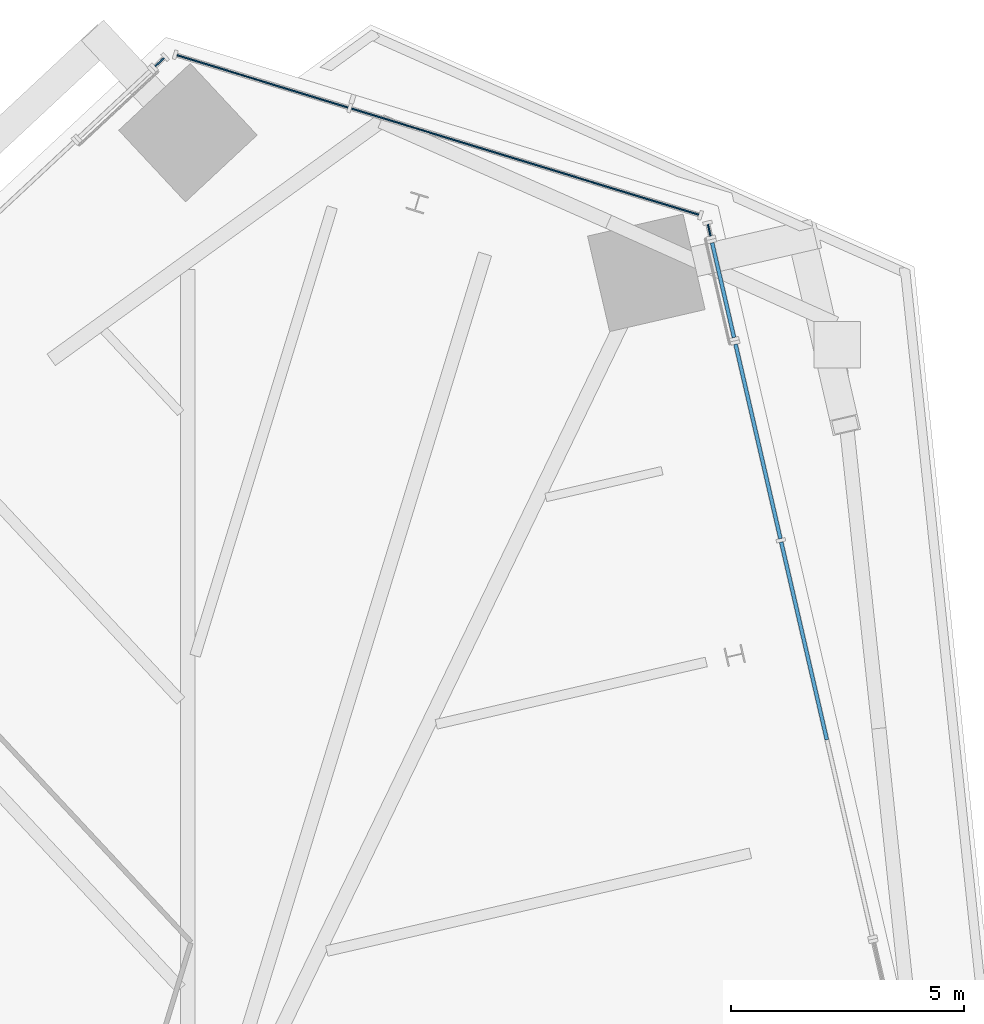
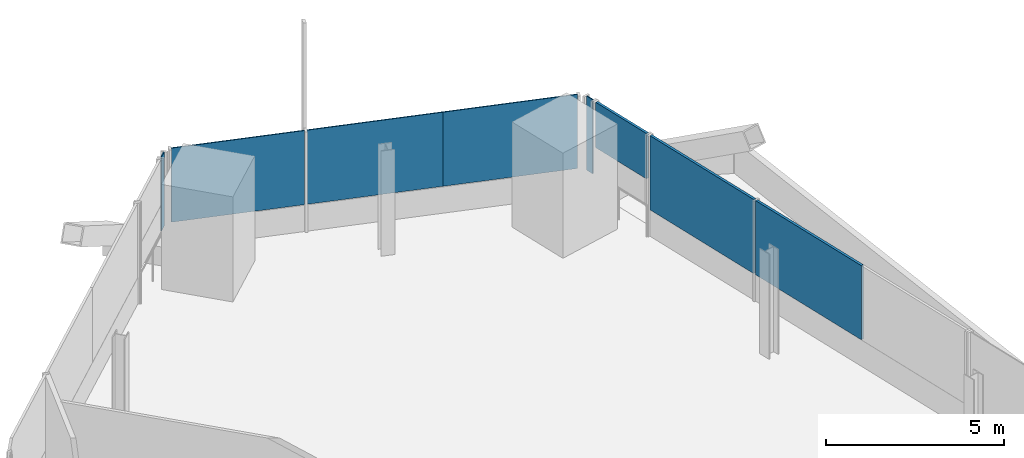
# One storey, part 17 of 25: 8 plates, 5 elements without a shape of their own.
"""IFC4 building model written with IfcOpenShell, lengths in metres."""

from ifc_helpers import new_model, si_unit, direction, frame, origin, origin_2d, place, context, subcontext, project, spatial, rectangle, extrude, source, transform, mapped, material, layer, layer_set, type_object, element, aggregate, save


model = new_model("IFC4")

# Units and contexts
model_context = context("Model", 3, precision=1e-05, world=origin(), true_north=direction((0.0, 1.0)))
body_context = subcontext(model_context, "Body", "Model", "MODEL_VIEW")
ifc_project = project(units=[si_unit("LENGTHUNIT", "METRE"), si_unit("AREAUNIT", "SQUARE_METRE"), si_unit("VOLUMEUNIT", "CUBIC_METRE"), si_unit("PLANEANGLEUNIT", "RADIAN"), si_unit("MASSUNIT", "GRAM", prefix="KILO")], contexts=[model_context])

# Site, building, storey
site_placement = place(None, origin())
site = spatial("IfcSite", under=ifc_project, at=site_placement, CompositionType="ELEMENT")
building_placement = place(site_placement, origin())
building = spatial("IfcBuilding", under=site, at=building_placement, Name="Triune Harvest Tower", CompositionType="ELEMENT")
storey_placement = place(building_placement, frame((0.0, 0.0, 98.300048828125)))
storey = spatial("IfcBuildingStorey", under=building, at=storey_placement, Name="L24", CompositionType="ELEMENT", Elevation=98.300048828125)

# Curtain wall, plates
ifc_material_1 = material(Name="Aluminium bronze anodised", Category="aluminium")
curtain_wall_type_1 = type_object("IfcCurtainWallType", Name="CW-7 Tower stick curtain wall with insulated spandrel infill", PredefinedType="NOTDEFINED", material=ifc_material_1)
curtain_wall_1_placement = place(storey_placement, origin())
curtain_wall_1 = element("IfcCurtainWall", 1, at=curtain_wall_1_placement, inside=storey, type_object=curtain_wall_type_1, Name="CW-7 B3-F1 L24 run 2101")
ifc_material_2 = material(Name="Insulated spandrel panel, bronze aluminium pan", Category="aluminium")
ifc_layer_1 = layer(ifc_material_2, 0.080078125)
ifc_layer_set_1 = layer_set([ifc_layer_1], Name="Insulated spandrel panel, bronze aluminium pan")
plate_type_1 = type_object("IfcPlateType", Name="SP-1 insulated spandrel panel 80", PredefinedType="CURTAIN_PANEL", material=ifc_layer_set_1)
shared_shape_1 = source(origin(), body_context, "Body", "SweptSolid", [
    extrude(rectangle(XDim=4.349365234375, YDim=0.080078125, at=origin_2d()), origin(), (0.0, 0.0, 1.0), 2.5400390625),
])
plate_1_placement = place(storey_placement, frame((17.68115234375, 21.321044921875, 0.89990234375), z_axis=(0.0, 0.0, 1.0), x_axis=(-0.224949408455, 0.974370444767, 0.0)))
plate_1 = element("IfcPlate", 2, at=plate_1_placement, type_object=plate_type_1, Name="CW-7 panel B3-F1 2101.2", PredefinedType="CURTAIN_PANEL", context=body_context, shape_type="MappedRepresentation", body=[
    mapped(shared_shape_1, transform((0.0, 0.0, 0.0), scale=1.0)),
])
shared_shape_2 = source(origin(), body_context, "Body", "SweptSolid", [
    extrude(rectangle(XDim=4.274169921875, YDim=0.080078125, at=origin_2d()), origin(), (0.0, 0.0, 1.0), 2.5400390625),
])
plate_2_placement = place(storey_placement, frame((16.6943359375, 25.595458984375, 0.89990234375), z_axis=(0.0, 0.0, 1.0), x_axis=(-0.224949408455, 0.974370444767, 0.0)))
plate_2 = element("IfcPlate", 3, at=plate_2_placement, type_object=plate_type_1, Name="CW-7 panel B3-F1 2101.3", PredefinedType="CURTAIN_PANEL", context=body_context, shape_type="MappedRepresentation", body=[
    mapped(shared_shape_2, transform((0.0, 0.0, 0.0), scale=1.0)),
])
aggregate(curtain_wall_1, [plate_1, plate_2])

# Curtain wall, plate
curtain_wall_2_placement = place(storey_placement, origin())
curtain_wall_2 = element("IfcCurtainWall", 4, at=curtain_wall_2_placement, inside=storey, type_object=curtain_wall_type_1, Name="CW-7 B3-F1 L24 run 201")
shared_shape_3 = source(origin(), body_context, "Body", "SweptSolid", [
    extrude(rectangle(XDim=2.082275390625, YDim=0.080078125, at=origin_2d()), origin(), (0.0, 0.0, 1.0), 1.554931640625),
])
plate_3_placement = place(storey_placement, frame((15.94580078125, 28.83837890625, 1.884765625), z_axis=(0.0, 0.0, 1.0), x_axis=(-0.224967469644, 0.974366274869, 0.0)))
plate_3 = element("IfcPlate", 5, at=plate_3_placement, type_object=plate_type_1, Name="CW-7 panel B3-F1 201.1", PredefinedType="CURTAIN_PANEL", context=body_context, shape_type="MappedRepresentation", body=[
    mapped(shared_shape_3, transform((0.0, 0.0, 0.0), scale=1.0)),
])
aggregate(curtain_wall_2, [plate_3])

ifc_material_3 = material(Name="Aluminium bronze anodised", Category="aluminium")
curtain_wall_type_2 = type_object("IfcCurtainWallType", Name="CW-1 Tower stick curtain wall", PredefinedType="NOTDEFINED", material=ifc_material_3)
curtain_wall_3_placement = place(storey_placement, origin())
curtain_wall_3 = element("IfcCurtainWall", 6, at=curtain_wall_3_placement, inside=storey, type_object=curtain_wall_type_2, Name="CW-1 B3-F1 L24 run 301")
ifc_material_4 = material(Name="Glass", Category="glass")
ifc_layer_2 = layer(ifc_material_4, 0.031982421875)
ifc_layer_set_2 = layer_set([ifc_layer_2], Name="Glass")
plate_type_2 = type_object("IfcPlateType", Name="GL-1 panel 32", PredefinedType="CURTAIN_PANEL", material=ifc_layer_set_2)
shared_shape_4 = source(origin(), body_context, "Body", "SweptSolid", [
    extrude(rectangle(XDim=0.251708984375, YDim=0.031982421875, at=origin_2d()), origin(), (0.0, 0.0, 1.0), 2.5400390625),
])
plate_4_placement = place(storey_placement, frame((15.6494140625, 30.12158203125, 0.89990234375), z_axis=(0.0, 0.0, 1.0), x_axis=(-0.225041312542, 0.974349222635, 0.0)))
plate_4 = element("IfcPlate", 7, at=plate_4_placement, type_object=plate_type_2, Name="CW-1 panel B3-F1 301.1", PredefinedType="CURTAIN_PANEL", context=body_context, shape_type="MappedRepresentation", body=[
    mapped(shared_shape_4, transform((0.0, 0.0, 0.0), scale=1.0)),
])
aggregate(curtain_wall_3, [plate_4])

curtain_wall_4_placement = place(storey_placement, origin())
curtain_wall_4 = element("IfcCurtainWall", 8, at=curtain_wall_4_placement, inside=storey, type_object=curtain_wall_type_2, Name="CW-1 B3-F3 L24 run 1")
plate_5_placement = place(storey_placement, frame((3.869873046875, 33.722900390625, 0.89990234375), z_axis=(0.0, 0.0, 1.0), x_axis=(-0.731435852304, -0.6819102536, 0.0)))
plate_5 = element("IfcPlate", 9, at=plate_5_placement, type_object=plate_type_2, Name="CW-1 panel B3-F3 1.1", PredefinedType="CURTAIN_PANEL", context=body_context, shape_type="MappedRepresentation", body=[
    mapped(shared_shape_4, transform((0.0, 0.0, 0.0), scale=1.0)),
])
aggregate(curtain_wall_4, [plate_5])

# Curtain wall, plates
curtain_wall_5_placement = place(storey_placement, origin())
curtain_wall_5 = element("IfcCurtainWall", 10, at=curtain_wall_5_placement, inside=storey, type_object=curtain_wall_type_2, Name="CW-1 B3-F2 L24 run 1")
shared_shape_5 = source(origin(), body_context, "Body", "SweptSolid", [
    extrude(rectangle(XDim=3.8740234375, YDim=0.031982421875, at=origin_2d()), origin(), (0.0, 0.0, 1.0), 2.5400390625),
])
plate_6_placement = place(storey_placement, frame((13.573974609375, 31.01953125, 0.89990234375), z_axis=(0.0, 0.0, 1.0), x_axis=(-0.956303148607, 0.292376962095, 0.0)))
plate_6 = element("IfcPlate", 11, at=plate_6_placement, type_object=plate_type_2, Name="CW-1 panel B3-F2 1.1", PredefinedType="CURTAIN_PANEL", context=body_context, shape_type="MappedRepresentation", body=[
    mapped(shared_shape_5, transform((0.0, 0.0, 0.0), scale=1.0)),
])
shared_shape_6 = source(origin(), body_context, "Body", "SweptSolid", [
    extrude(rectangle(XDim=3.911376953125, YDim=0.031982421875, at=origin_2d()), origin(), (0.0, 0.0, 1.0), 2.5400390625),
])
plate_7_placement = place(storey_placement, frame((9.851318359375, 32.15771484375, 0.89990234375), z_axis=(0.0, 0.0, 1.0), x_axis=(-0.956303148607, 0.292376962095, 0.0)))
plate_7 = element("IfcPlate", 12, at=plate_7_placement, type_object=plate_type_2, Name="CW-1 panel B3-F2 1.2", PredefinedType="CURTAIN_PANEL", context=body_context, shape_type="MappedRepresentation", body=[
    mapped(shared_shape_6, transform((0.0, 0.0, 0.0), scale=1.0)),
])
shared_shape_7 = source(origin(), body_context, "Body", "SweptSolid", [
    extrude(rectangle(XDim=3.83642578125, YDim=0.031982421875, at=origin_2d()), origin(), (0.0, 0.0, 1.0), 2.5400390625),
])
plate_8_placement = place(storey_placement, frame((6.07470703125, 33.312255859375, 0.89990234375), z_axis=(0.0, 0.0, 1.0), x_axis=(-0.956303148607, 0.292376962095, 0.0)))
plate_8 = element("IfcPlate", 13, at=plate_8_placement, type_object=plate_type_2, Name="CW-1 panel B3-F2 1.3", PredefinedType="CURTAIN_PANEL", context=body_context, shape_type="MappedRepresentation", body=[
    mapped(shared_shape_7, transform((0.0, 0.0, 0.0), scale=1.0)),
])
aggregate(curtain_wall_5, [plate_6, plate_7, plate_8])

save(model, "model.ifc")
